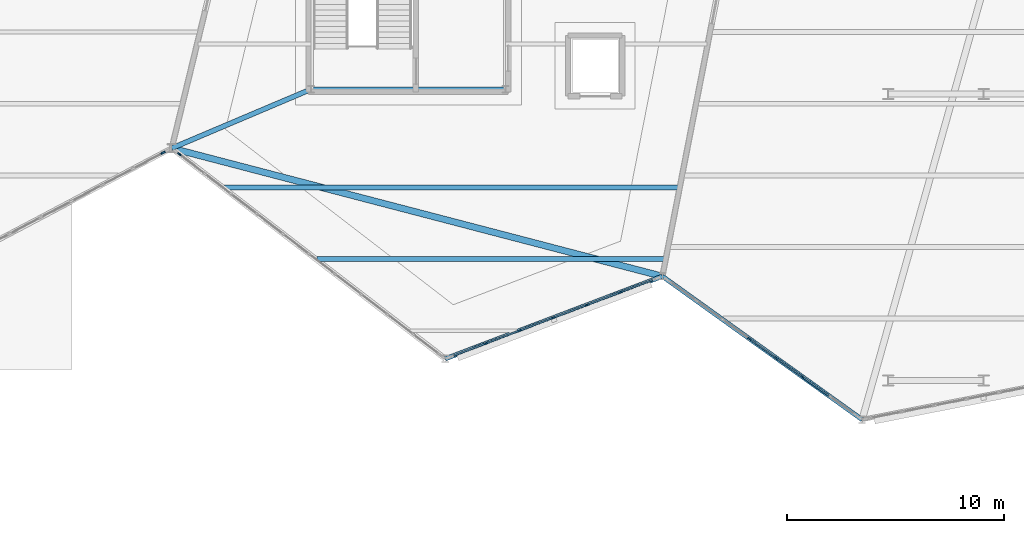
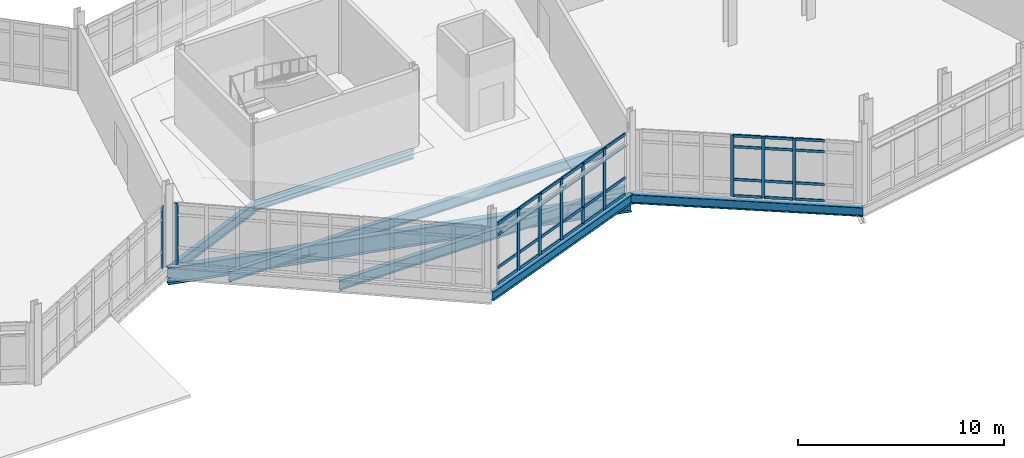
# One storey, part 41 of 134: 46 members, 7 beams, 4 elements without a shape of their own.
"""IFC4 building model written with IfcOpenShell, lengths in metres."""

from ifc_helpers import new_model, si_unit, direction, frame, origin, origin_2d, place, context, subcontext, project, spatial, rectangle, i_section, extrude, material, material_profile, profile_set, type_object, element, aggregate, save


model = new_model("IFC4")

# Units and contexts
model_context = context("Model", 3, precision=1e-05, world=origin(), true_north=direction((0.0, 1.0)))
body_context = subcontext(model_context, "Body", "Model", "MODEL_VIEW")
ifc_project = project(units=[si_unit("LENGTHUNIT", "METRE"), si_unit("AREAUNIT", "SQUARE_METRE"), si_unit("VOLUMEUNIT", "CUBIC_METRE"), si_unit("PLANEANGLEUNIT", "RADIAN"), si_unit("MASSUNIT", "GRAM", prefix="KILO")], contexts=[model_context])

# Site, building, storey
site_placement = place(None, origin())
site = spatial("IfcSite", under=ifc_project, at=site_placement, CompositionType="ELEMENT")
building_placement = place(site_placement, origin())
building = spatial("IfcBuilding", under=site, at=building_placement, Name="Tameran Prism Museum", CompositionType="ELEMENT")
storey_placement = place(building_placement, frame((0.0, 0.0, 5.39990234375)))
storey = spatial("IfcBuildingStorey", under=building, at=storey_placement, Name="L01", CompositionType="ELEMENT", Elevation=5.39990234375)

# Beams
ifc_material_1 = material(Name="Steel Grade 300PLUS (300 MPa)", Category="steel")
ifc_material_profile_1 = material_profile(ifc_material_1, i_section(OverallWidth=0.208984375, OverallDepth=0.532958984375, WebThickness=0.01025390625, FlangeThickness=0.015625, FilletRadius=0.013916015625, at=origin_2d()))
ifc_profile_set_1 = profile_set([ifc_material_profile_1])
beam_type_1 = type_object("IfcBeamType", Name="BM-SP530A", PredefinedType="SPANDREL", material=ifc_profile_set_1)
beam_1_placement = place(storey_placement, frame((110.699951171875, 18.5, -0.46630859375), z_axis=(0.934782064974, 0.355221749056, 0.0), x_axis=(-0.355221749056, 0.934782064974, 0.0)))
element("IfcBeam", 1, at=beam_1_placement, inside=storey, type_object=beam_type_1, Name="Perimeter Spandrel SP-0361", PredefinedType="SPANDREL", context=body_context, shape_type="SweptSolid", body=[
    extrude(i_section(OverallWidth=0.208984375, OverallDepth=0.532958984375, WebThickness=0.01025390625, FlangeThickness=0.015625, FilletRadius=0.013916015625, at=origin_2d()), origin(), (0.0, 0.0, 1.0), 10.69775390625),
])
beam_2_placement = place(storey_placement, frame((120.699951171875, 22.300048828125, -0.46630859375), z_axis=(0.812532700231, -0.582915612293, 0.0), x_axis=(0.582915612293, 0.812532700231, 0.0)))
element("IfcBeam", 2, at=beam_2_placement, inside=storey, type_object=beam_type_1, Name="Perimeter Spandrel SP-0366", PredefinedType="SPANDREL", context=body_context, shape_type="SweptSolid", body=[
    extrude(i_section(OverallWidth=0.208984375, OverallDepth=0.532958984375, WebThickness=0.01025390625, FlangeThickness=0.015625, FilletRadius=0.013916015625, at=origin_2d()), origin(), (0.0, 0.0, 1.0), 11.322509765625),
])
ifc_material_2 = material(Name="Steel Grade 300PLUS (300 MPa)", Category="steel")
ifc_material_profile_2 = material_profile(ifc_material_2, i_section(OverallWidth=0.208984375, OverallDepth=0.528076171875, WebThickness=0.009521484375, FlangeThickness=0.01318359375, FilletRadius=0.013916015625, at=origin_2d()))
ifc_profile_set_2 = profile_set([ifc_material_profile_2])
beam_type_2 = type_object("IfcBeamType", Name="BM-SP530B", PredefinedType="SPANDREL", material=ifc_profile_set_2)
beam_3_placement = place(storey_placement, frame((104.52001953125, 30.919921875, -0.50390625), z_axis=(1.0, 0.0, 0.0), x_axis=(0.0, 1.0, 0.0)))
element("IfcBeam", 3, at=beam_3_placement, inside=storey, type_object=beam_type_2, Name="Core Ring Beam CTB-0458", PredefinedType="SPANDREL", context=body_context, shape_type="SweptSolid", body=[
    extrude(i_section(OverallWidth=0.208984375, OverallDepth=0.528076171875, WebThickness=0.009521484375, FlangeThickness=0.01318359375, FilletRadius=0.013916015625, at=origin_2d()), origin(), (0.0, 0.0, 1.0), 8.9599609375),
])
ifc_material_3 = material(Name="Steel Grade 300PLUS (300 MPa)", Category="steel")
ifc_material_profile_3 = material_profile(ifc_material_3, i_section(OverallWidth=0.22900390625, OverallDepth=0.612060546875, WebThickness=0.011962890625, FlangeThickness=0.01953125, FilletRadius=0.013916015625, at=origin_2d()))
ifc_profile_set_3 = profile_set([ifc_material_profile_3])
beam_type_3 = type_object("IfcBeamType", Name="BM-UB610A", PredefinedType="BEAM", material=ifc_profile_set_3)
beam_4_placement = place(storey_placement, frame((104.52001953125, 30.919921875, -0.559814453125), z_axis=(-0.920768988768, -0.390108278973, 0.0), x_axis=(0.390108278973, -0.920768988768, 0.0)))
element("IfcBeam", 4, at=beam_4_placement, inside=storey, type_object=beam_type_3, Name="Frame Tie Girder FG-1418", PredefinedType="BEAM", context=body_context, shape_type="SweptSolid", body=[
    extrude(i_section(OverallWidth=0.22900390625, OverallDepth=0.612060546875, WebThickness=0.011962890625, FlangeThickness=0.01953125, FilletRadius=0.013916015625, at=origin_2d()), origin(), (0.0, 0.0, 1.0), 6.972412109375),
])
ifc_material_4 = material(Name="Steel Grade 300PLUS (300 MPa)", Category="steel")
ifc_material_profile_4 = material_profile(ifc_material_4, i_section(OverallWidth=0.22802734375, OverallDepth=0.60693359375, WebThickness=0.01123046875, FlangeThickness=0.017333984375, FilletRadius=0.013916015625, at=origin_2d()))
ifc_profile_set_4 = profile_set([ifc_material_profile_4])
beam_type_4 = type_object("IfcBeamType", Name="BM-UB610B", PredefinedType="BEAM", material=ifc_profile_set_4)
beam_5_placement = place(storey_placement, frame((104.7900390625, 23.10009765625, -0.50341796875), z_axis=(1.0, 0.0, 0.0), x_axis=(0.0, 1.0, 0.0)))
element("IfcBeam", 5, at=beam_5_placement, inside=storey, type_object=beam_type_4, Name="Floor Beam BM-0562", PredefinedType="BEAM", context=body_context, shape_type="SweptSolid", body=[
    extrude(i_section(OverallWidth=0.22802734375, OverallDepth=0.60693359375, WebThickness=0.01123046875, FlangeThickness=0.017333984375, FilletRadius=0.013916015625, at=origin_2d()), origin(), (0.0, 0.0, 1.0), 16.02490234375),
])
beam_6_placement = place(storey_placement, frame((100.50390625, 26.39990234375, -0.50341796875), z_axis=(1.0, 0.0, 0.0), x_axis=(0.0, 1.0, 0.0)))
element("IfcBeam", 6, at=beam_6_placement, inside=storey, type_object=beam_type_4, Name="Floor Beam BM-0563", PredefinedType="BEAM", context=body_context, shape_type="SweptSolid", body=[
    extrude(i_section(OverallWidth=0.22802734375, OverallDepth=0.60693359375, WebThickness=0.01123046875, FlangeThickness=0.017333984375, FilletRadius=0.013916015625, at=origin_2d()), origin(), (0.0, 0.0, 1.0), 20.9560546875),
])
ifc_material_5 = material(Name="Steel Grade 350 (350 MPa)", Category="steel")
ifc_material_profile_5 = material_profile(ifc_material_5, i_section(OverallWidth=0.300048828125, OverallDepth=1.0, WebThickness=0.01611328125, FlangeThickness=0.031982421875, at=origin_2d()))
ifc_profile_set_5 = profile_set([ifc_material_profile_5])
beam_type_5 = type_object("IfcBeamType", Name="BM-WB1000", PredefinedType="BEAM", material=ifc_profile_set_5)
beam_7_placement = place(storey_placement, frame((98.10009765625, 28.199951171875, -0.699951171875), z_axis=(0.967572413362, -0.252593794265, 0.0), x_axis=(0.252593794265, 0.967572413362, 0.0)))
element("IfcBeam", 7, at=beam_7_placement, inside=storey, type_object=beam_type_5, Name="Primary Vertex Girder PG-0364", PredefinedType="BEAM", context=body_context, shape_type="SweptSolid", body=[
    extrude(i_section(OverallWidth=0.300048828125, OverallDepth=1.0, WebThickness=0.01611328125, FlangeThickness=0.031982421875, at=origin_2d()), origin(), (0.0, 0.0, 1.0), 23.357177734375),
])

# Curtain wall, member
ifc_material_6 = material(Name="Anodised Aluminium 6063-T6 and Cyclone Solar Glass", Category="aluminium")
curtain_wall_type_1 = type_object("IfcCurtainWallType", Name="CW-FAC-1514x362", PredefinedType="USERDEFINED", material=ifc_material_6)
curtain_wall_1_placement = place(storey_placement, origin())
curtain_wall_1 = element("IfcCurtainWall", 8, at=curtain_wall_1_placement, inside=storey, type_object=curtain_wall_type_1, Name="Unitised Curtain Wall CW-072", ObjectType="UNITISED CURTAIN WALL", PredefinedType="USERDEFINED")
ifc_material_7 = material(Name="Anodised Aluminium Alloy 6063-T6", Category="aluminium")
ifc_material_profile_6 = material_profile(ifc_material_7, rectangle(XDim=0.070068359375, YDim=0.179931640625, at=origin_2d()))
ifc_profile_set_6 = profile_set([ifc_material_profile_6])
member_type_1 = type_object("IfcMemberType", Name="CW-MUL-B", PredefinedType="MULLION", material=ifc_profile_set_6)
member_1_placement = place(storey_placement, frame((98.45166015625, 27.9287109375, 0.0), z_axis=(0.0, 0.0, 1.0), x_axis=(-0.610001143702, -0.79240053299, 0.0)))
member_1 = element("IfcMember", 9, at=member_1_placement, type_object=member_type_1, Name="CW-072 mullion 11", PredefinedType="MULLION", context=body_context, shape_type="SweptSolid", body=[
    extrude(rectangle(XDim=0.070068359375, YDim=0.179931640625, at=origin_2d()), origin(), (0.0, 0.0, 1.0), 3.6201171875),
])
aggregate(curtain_wall_1, [member_1])

# Curtain wall, members
ifc_material_8 = material(Name="Anodised Aluminium 6063-T6 and Cyclone Solar Glass", Category="aluminium")
curtain_wall_type_2 = type_object("IfcCurtainWallType", Name="CW-FAC-1056x362", PredefinedType="USERDEFINED", material=ifc_material_8)
curtain_wall_2_placement = place(storey_placement, origin())
curtain_wall_2 = element("IfcCurtainWall", 10, at=curtain_wall_2_placement, inside=storey, type_object=curtain_wall_type_2, Name="Unitised Curtain Wall CW-076", ObjectType="UNITISED CURTAIN WALL", PredefinedType="USERDEFINED")
member_2_placement = place(storey_placement, frame((127.163818359375, 17.6630859375, 0.0), z_axis=(0.0, 0.0, 1.0), x_axis=(-0.582884776259, -0.812554821293, 0.0)))
member_2 = element("IfcMember", 11, at=member_2_placement, type_object=member_type_1, Name="CW-076 mullion 3", PredefinedType="MULLION", context=body_context, shape_type="SweptSolid", body=[
    extrude(rectangle(XDim=0.070068359375, YDim=0.179931640625, at=origin_2d()), origin(), (0.0, 0.0, 1.0), 3.6201171875),
])
member_3_placement = place(storey_placement, frame((125.9375, 18.542724609375, 0.0), z_axis=(0.0, 0.0, 1.0), x_axis=(-0.582884776259, -0.812554821293, 0.0)))
member_3 = element("IfcMember", 12, at=member_3_placement, type_object=member_type_1, Name="CW-076 mullion 4", PredefinedType="MULLION", context=body_context, shape_type="SweptSolid", body=[
    extrude(rectangle(XDim=0.070068359375, YDim=0.179931640625, at=origin_2d()), origin(), (0.0, 0.0, 1.0), 3.6201171875),
])
member_4_placement = place(storey_placement, frame((124.71142578125, 19.42236328125, 0.0), z_axis=(0.0, 0.0, 1.0), x_axis=(-0.582884776259, -0.812554821293, 0.0)))
member_4 = element("IfcMember", 13, at=member_4_placement, type_object=member_type_1, Name="CW-076 mullion 5", PredefinedType="MULLION", context=body_context, shape_type="SweptSolid", body=[
    extrude(rectangle(XDim=0.070068359375, YDim=0.179931640625, at=origin_2d()), origin(), (0.0, 0.0, 1.0), 3.6201171875),
])

ifc_material_9 = material(Name="Anodised Aluminium 6063-T6 and Cyclone Solar Glass", Category="aluminium")
curtain_wall_type_3 = type_object("IfcCurtainWallType", Name="CW-FAC-994x362", PredefinedType="USERDEFINED", material=ifc_material_9)
curtain_wall_3_placement = place(storey_placement, origin())
curtain_wall_3 = element("IfcCurtainWall", 14, at=curtain_wall_3_placement, inside=storey, type_object=curtain_wall_type_3, Name="Unitised Curtain Wall CW-073", ObjectType="UNITISED CURTAIN WALL", PredefinedType="USERDEFINED")
ifc_material_10 = material(Name="Anodised Aluminium Alloy 6063-T6", Category="aluminium")
ifc_material_profile_7 = material_profile(ifc_material_10, rectangle(XDim=0.074951171875, YDim=0.199951171875, at=origin_2d()))
ifc_profile_set_7 = profile_set([ifc_material_profile_7])
member_type_2 = type_object("IfcMemberType", Name="CW-MUL-C", PredefinedType="MULLION", material=ifc_profile_set_7)
member_5_placement = place(storey_placement, frame((118.7685546875, 21.56640625, 0.0), z_axis=(0.0, 0.0, 1.0), x_axis=(0.355288098442, -0.934756849189, 0.0)))
member_5 = element("IfcMember", 15, at=member_5_placement, type_object=member_type_2, Name="CW-073 mullion 2", PredefinedType="MULLION", context=body_context, shape_type="SweptSolid", body=[
    extrude(rectangle(XDim=0.074951171875, YDim=0.199951171875, at=origin_2d()), origin(), (0.0, 0.0, 1.0), 3.6201171875),
])
member_6_placement = place(storey_placement, frame((117.22021484375, 20.97802734375, 0.0), z_axis=(0.0, 0.0, 1.0), x_axis=(0.355288098442, -0.934756849189, 0.0)))
member_6 = element("IfcMember", 16, at=member_6_placement, type_object=member_type_2, Name="CW-073 mullion 3", PredefinedType="MULLION", context=body_context, shape_type="SweptSolid", body=[
    extrude(rectangle(XDim=0.074951171875, YDim=0.199951171875, at=origin_2d()), origin(), (0.0, 0.0, 1.0), 3.6201171875),
])
member_7_placement = place(storey_placement, frame((115.672119140625, 20.389404296875, 0.0), z_axis=(0.0, 0.0, 1.0), x_axis=(0.355288098442, -0.934756849189, 0.0)))
member_7 = element("IfcMember", 17, at=member_7_placement, type_object=member_type_2, Name="CW-073 mullion 4", PredefinedType="MULLION", context=body_context, shape_type="SweptSolid", body=[
    extrude(rectangle(XDim=0.074951171875, YDim=0.199951171875, at=origin_2d()), origin(), (0.0, 0.0, 1.0), 3.6201171875),
])
member_8_placement = place(storey_placement, frame((114.123779296875, 19.801025390625, 0.0), z_axis=(0.0, 0.0, 1.0), x_axis=(0.355288098442, -0.934756849189, 0.0)))
member_8 = element("IfcMember", 18, at=member_8_placement, type_object=member_type_2, Name="CW-073 mullion 5", PredefinedType="MULLION", context=body_context, shape_type="SweptSolid", body=[
    extrude(rectangle(XDim=0.074951171875, YDim=0.199951171875, at=origin_2d()), origin(), (0.0, 0.0, 1.0), 3.6201171875),
])
member_9_placement = place(storey_placement, frame((112.575439453125, 19.21240234375, 0.0), z_axis=(0.0, 0.0, 1.0), x_axis=(0.355288098442, -0.934756849189, 0.0)))
member_9 = element("IfcMember", 19, at=member_9_placement, type_object=member_type_2, Name="CW-073 mullion 6", PredefinedType="MULLION", context=body_context, shape_type="SweptSolid", body=[
    extrude(rectangle(XDim=0.074951171875, YDim=0.199951171875, at=origin_2d()), origin(), (0.0, 0.0, 1.0), 3.6201171875),
])

# Curtain wall, member
ifc_material_11 = material(Name="Anodised Aluminium 6063-T6 and Cyclone Solar Glass", Category="aluminium")
curtain_wall_type_4 = type_object("IfcCurtainWallType", Name="CW-FAC-1123x362", PredefinedType="USERDEFINED", material=ifc_material_11)
curtain_wall_4_placement = place(storey_placement, origin())
curtain_wall_4 = element("IfcCurtainWall", 20, at=curtain_wall_4_placement, inside=storey, type_object=curtain_wall_type_4, Name="Unitised Curtain Wall CW-066", ObjectType="UNITISED CURTAIN WALL", PredefinedType="USERDEFINED")
ifc_material_12 = material(Name="Anodised Aluminium Alloy 6063-T6", Category="aluminium")
ifc_material_profile_8 = material_profile(ifc_material_12, rectangle(XDim=0.080078125, YDim=0.219970703125, at=origin_2d()))
ifc_profile_set_8 = profile_set([ifc_material_profile_8])
member_type_3 = type_object("IfcMemberType", Name="CW-MUL-D", PredefinedType="MULLION", material=ifc_profile_set_8)
member_10_placement = place(storey_placement, frame((97.70263671875, 27.990234375, 0.0), z_axis=(0.0, 0.0, 1.0), x_axis=(0.467155185438, -0.884175340483, 0.0)))
member_10 = element("IfcMember", 21, at=member_10_placement, type_object=member_type_3, Name="CW-066 mullion 1", PredefinedType="MULLION", context=body_context, shape_type="SweptSolid", body=[
    extrude(rectangle(XDim=0.080078125, YDim=0.219970703125, at=origin_2d()), origin(), (0.0, 0.0, 1.0), 3.6201171875),
])
aggregate(curtain_wall_4, [member_10])

# Member
ifc_material_13 = material(Name="Anodised Aluminium Alloy 6063-T6", Category="aluminium")
ifc_material_profile_9 = material_profile(ifc_material_13, rectangle(XDim=0.070068359375, YDim=0.155029296875, at=origin_2d()))
ifc_profile_set_9 = profile_set([ifc_material_profile_9])
member_type_4 = type_object("IfcMemberType", Name="CW-TRN-B", PredefinedType="USERDEFINED", material=ifc_profile_set_9)
member_11_placement = place(storey_placement, frame((128.361328125, 16.803955078125, 0.03515625), z_axis=(-0.812505058281, 0.582954140792, 0.0), x_axis=(-0.582954140792, -0.812505058281, 0.0)))
member_11 = element("IfcMember", 22, at=member_11_placement, type_object=member_type_4, Name="CW-076 transom 2.1", ObjectType="TRANSOM", PredefinedType="USERDEFINED", context=body_context, shape_type="SweptSolid", body=[
    extrude(rectangle(XDim=0.070068359375, YDim=0.155029296875, at=origin_2d()), origin(), (0.0, 0.0, 1.0), 1.43896484375),
])

member_12_placement = place(storey_placement, frame((128.361328125, 16.803955078125, 1.0), z_axis=(-0.812505058281, 0.582954140792, 0.0), x_axis=(-0.582954140792, -0.812505058281, 0.0)))
member_12 = element("IfcMember", 23, at=member_12_placement, type_object=member_type_4, Name="CW-076 transom 2.2", ObjectType="TRANSOM", PredefinedType="USERDEFINED", context=body_context, shape_type="SweptSolid", body=[
    extrude(rectangle(XDim=0.070068359375, YDim=0.155029296875, at=origin_2d()), origin(), (0.0, 0.0, 1.0), 1.43896484375),
])

member_13_placement = place(storey_placement, frame((128.361328125, 16.803955078125, 2.940185546875), z_axis=(-0.812505058281, 0.582954140792, 0.0), x_axis=(-0.582954140792, -0.812505058281, 0.0)))
member_13 = element("IfcMember", 24, at=member_13_placement, type_object=member_type_4, Name="CW-076 transom 2.3", ObjectType="TRANSOM", PredefinedType="USERDEFINED", context=body_context, shape_type="SweptSolid", body=[
    extrude(rectangle(XDim=0.070068359375, YDim=0.155029296875, at=origin_2d()), origin(), (0.0, 0.0, 1.0), 1.43896484375),
])

member_14_placement = place(storey_placement, frame((128.361328125, 16.803955078125, 3.585205078125), z_axis=(-0.812505058281, 0.582954140792, 0.0), x_axis=(-0.582954140792, -0.812505058281, 0.0)))
member_14 = element("IfcMember", 25, at=member_14_placement, type_object=member_type_4, Name="CW-076 transom 2.4", ObjectType="TRANSOM", PredefinedType="USERDEFINED", context=body_context, shape_type="SweptSolid", body=[
    extrude(rectangle(XDim=0.070068359375, YDim=0.155029296875, at=origin_2d()), origin(), (0.0, 0.0, 1.0), 1.43896484375),
])

member_15_placement = place(storey_placement, frame((127.13525390625, 17.68359375, 0.03515625), z_axis=(-0.812585418836, 0.582842120213, 0.0), x_axis=(-0.582842120213, -0.812585418836, 0.0)))
member_15 = element("IfcMember", 26, at=member_15_placement, type_object=member_type_4, Name="CW-076 transom 3.1", ObjectType="TRANSOM", PredefinedType="USERDEFINED", context=body_context, shape_type="SweptSolid", body=[
    extrude(rectangle(XDim=0.070068359375, YDim=0.155029296875, at=origin_2d()), origin(), (0.0, 0.0, 1.0), 1.43896484375),
])

member_16_placement = place(storey_placement, frame((127.13525390625, 17.68359375, 1.0), z_axis=(-0.812585418836, 0.582842120213, 0.0), x_axis=(-0.582842120213, -0.812585418836, 0.0)))
member_16 = element("IfcMember", 27, at=member_16_placement, type_object=member_type_4, Name="CW-076 transom 3.2", ObjectType="TRANSOM", PredefinedType="USERDEFINED", context=body_context, shape_type="SweptSolid", body=[
    extrude(rectangle(XDim=0.070068359375, YDim=0.155029296875, at=origin_2d()), origin(), (0.0, 0.0, 1.0), 1.43896484375),
])

member_17_placement = place(storey_placement, frame((127.13525390625, 17.68359375, 2.940185546875), z_axis=(-0.812585418836, 0.582842120213, 0.0), x_axis=(-0.582842120213, -0.812585418836, 0.0)))
member_17 = element("IfcMember", 28, at=member_17_placement, type_object=member_type_4, Name="CW-076 transom 3.3", ObjectType="TRANSOM", PredefinedType="USERDEFINED", context=body_context, shape_type="SweptSolid", body=[
    extrude(rectangle(XDim=0.070068359375, YDim=0.155029296875, at=origin_2d()), origin(), (0.0, 0.0, 1.0), 1.43896484375),
])

member_18_placement = place(storey_placement, frame((127.13525390625, 17.68359375, 3.585205078125), z_axis=(-0.812585418836, 0.582842120213, 0.0), x_axis=(-0.582842120213, -0.812585418836, 0.0)))
member_18 = element("IfcMember", 29, at=member_18_placement, type_object=member_type_4, Name="CW-076 transom 3.4", ObjectType="TRANSOM", PredefinedType="USERDEFINED", context=body_context, shape_type="SweptSolid", body=[
    extrude(rectangle(XDim=0.070068359375, YDim=0.155029296875, at=origin_2d()), origin(), (0.0, 0.0, 1.0), 1.43896484375),
])

member_19_placement = place(storey_placement, frame((125.9091796875, 18.563232421875, 0.03515625), z_axis=(-0.812643047192, 0.582761767663, 0.0), x_axis=(-0.582761767663, -0.812643047192, 0.0)))
member_19 = element("IfcMember", 30, at=member_19_placement, type_object=member_type_4, Name="CW-076 transom 4.1", ObjectType="TRANSOM", PredefinedType="USERDEFINED", context=body_context, shape_type="SweptSolid", body=[
    extrude(rectangle(XDim=0.070068359375, YDim=0.155029296875, at=origin_2d()), origin(), (0.0, 0.0, 1.0), 1.43896484375),
])

member_20_placement = place(storey_placement, frame((125.9091796875, 18.563232421875, 1.0), z_axis=(-0.812643047192, 0.582761767663, 0.0), x_axis=(-0.582761767663, -0.812643047192, 0.0)))
member_20 = element("IfcMember", 31, at=member_20_placement, type_object=member_type_4, Name="CW-076 transom 4.2", ObjectType="TRANSOM", PredefinedType="USERDEFINED", context=body_context, shape_type="SweptSolid", body=[
    extrude(rectangle(XDim=0.070068359375, YDim=0.155029296875, at=origin_2d()), origin(), (0.0, 0.0, 1.0), 1.43896484375),
])

member_21_placement = place(storey_placement, frame((125.9091796875, 18.563232421875, 2.940185546875), z_axis=(-0.812643047192, 0.582761767663, 0.0), x_axis=(-0.582761767663, -0.812643047192, 0.0)))
member_21 = element("IfcMember", 32, at=member_21_placement, type_object=member_type_4, Name="CW-076 transom 4.3", ObjectType="TRANSOM", PredefinedType="USERDEFINED", context=body_context, shape_type="SweptSolid", body=[
    extrude(rectangle(XDim=0.070068359375, YDim=0.155029296875, at=origin_2d()), origin(), (0.0, 0.0, 1.0), 1.43896484375),
])

member_22_placement = place(storey_placement, frame((125.9091796875, 18.563232421875, 3.585205078125), z_axis=(-0.812643047192, 0.582761767663, 0.0), x_axis=(-0.582761767663, -0.812643047192, 0.0)))
member_22 = element("IfcMember", 33, at=member_22_placement, type_object=member_type_4, Name="CW-076 transom 4.4", ObjectType="TRANSOM", PredefinedType="USERDEFINED", context=body_context, shape_type="SweptSolid", body=[
    extrude(rectangle(XDim=0.070068359375, YDim=0.155029296875, at=origin_2d()), origin(), (0.0, 0.0, 1.0), 1.43896484375),
])

aggregate(curtain_wall_2, [member_2, member_3, member_4, member_11, member_12, member_13, member_14, member_15, member_16, member_17, member_18, member_19, member_20, member_21, member_22])

ifc_material_14 = material(Name="Anodised Aluminium Alloy 6063-T6", Category="aluminium")
ifc_material_profile_10 = material_profile(ifc_material_14, rectangle(XDim=0.074951171875, YDim=0.175048828125, at=origin_2d()))
ifc_profile_set_10 = profile_set([ifc_material_profile_10])
member_type_5 = type_object("IfcMemberType", Name="CW-TRN-C", PredefinedType="USERDEFINED", material=ifc_profile_set_10)
member_23_placement = place(storey_placement, frame((120.246826171875, 22.12841796875, 0.03759765625), z_axis=(-0.934740516132, -0.355331067459, 0.0), x_axis=(0.355331067459, -0.934740516132, 0.0)))
member_23 = element("IfcMember", 34, at=member_23_placement, type_object=member_type_5, Name="CW-073 transom 1.1", ObjectType="TRANSOM", PredefinedType="USERDEFINED", context=body_context, shape_type="SweptSolid", body=[
    extrude(rectangle(XDim=0.074951171875, YDim=0.175048828125, at=origin_2d()), origin(), (0.0, 0.0, 1.0), 1.5439453125),
])

member_24_placement = place(storey_placement, frame((120.246826171875, 22.12841796875, 1.0), z_axis=(-0.934740516132, -0.355331067459, 0.0), x_axis=(0.355331067459, -0.934740516132, 0.0)))
member_24 = element("IfcMember", 35, at=member_24_placement, type_object=member_type_5, Name="CW-073 transom 1.2", ObjectType="TRANSOM", PredefinedType="USERDEFINED", context=body_context, shape_type="SweptSolid", body=[
    extrude(rectangle(XDim=0.074951171875, YDim=0.175048828125, at=origin_2d()), origin(), (0.0, 0.0, 1.0), 1.5439453125),
])

member_25_placement = place(storey_placement, frame((120.246826171875, 22.12841796875, 2.940185546875), z_axis=(-0.934740516132, -0.355331067459, 0.0), x_axis=(0.355331067459, -0.934740516132, 0.0)))
member_25 = element("IfcMember", 36, at=member_25_placement, type_object=member_type_5, Name="CW-073 transom 1.3", ObjectType="TRANSOM", PredefinedType="USERDEFINED", context=body_context, shape_type="SweptSolid", body=[
    extrude(rectangle(XDim=0.074951171875, YDim=0.175048828125, at=origin_2d()), origin(), (0.0, 0.0, 1.0), 1.5439453125),
])

member_26_placement = place(storey_placement, frame((120.246826171875, 22.12841796875, 3.58251953125), z_axis=(-0.934740516132, -0.355331067459, 0.0), x_axis=(0.355331067459, -0.934740516132, 0.0)))
member_26 = element("IfcMember", 37, at=member_26_placement, type_object=member_type_5, Name="CW-073 transom 1.4", ObjectType="TRANSOM", PredefinedType="USERDEFINED", context=body_context, shape_type="SweptSolid", body=[
    extrude(rectangle(XDim=0.074951171875, YDim=0.175048828125, at=origin_2d()), origin(), (0.0, 0.0, 1.0), 1.5439453125),
])

member_27_placement = place(storey_placement, frame((118.733642578125, 21.55322265625, 0.03759765625), z_axis=(-0.934727183088, -0.355366139631, 0.0), x_axis=(0.355366139631, -0.934727183088, 0.0)))
member_27 = element("IfcMember", 38, at=member_27_placement, type_object=member_type_5, Name="CW-073 transom 2.1", ObjectType="TRANSOM", PredefinedType="USERDEFINED", context=body_context, shape_type="SweptSolid", body=[
    extrude(rectangle(XDim=0.074951171875, YDim=0.175048828125, at=origin_2d()), origin(), (0.0, 0.0, 1.0), 1.58154296875),
])

member_28_placement = place(storey_placement, frame((118.733642578125, 21.55322265625, 1.0), z_axis=(-0.934727183088, -0.355366139631, 0.0), x_axis=(0.355366139631, -0.934727183088, 0.0)))
member_28 = element("IfcMember", 39, at=member_28_placement, type_object=member_type_5, Name="CW-073 transom 2.2", ObjectType="TRANSOM", PredefinedType="USERDEFINED", context=body_context, shape_type="SweptSolid", body=[
    extrude(rectangle(XDim=0.074951171875, YDim=0.175048828125, at=origin_2d()), origin(), (0.0, 0.0, 1.0), 1.58154296875),
])

member_29_placement = place(storey_placement, frame((118.733642578125, 21.55322265625, 2.940185546875), z_axis=(-0.934727183088, -0.355366139631, 0.0), x_axis=(0.355366139631, -0.934727183088, 0.0)))
member_29 = element("IfcMember", 40, at=member_29_placement, type_object=member_type_5, Name="CW-073 transom 2.3", ObjectType="TRANSOM", PredefinedType="USERDEFINED", context=body_context, shape_type="SweptSolid", body=[
    extrude(rectangle(XDim=0.074951171875, YDim=0.175048828125, at=origin_2d()), origin(), (0.0, 0.0, 1.0), 1.58154296875),
])

member_30_placement = place(storey_placement, frame((118.733642578125, 21.55322265625, 3.58251953125), z_axis=(-0.934727183088, -0.355366139631, 0.0), x_axis=(0.355366139631, -0.934727183088, 0.0)))
member_30 = element("IfcMember", 41, at=member_30_placement, type_object=member_type_5, Name="CW-073 transom 2.4", ObjectType="TRANSOM", PredefinedType="USERDEFINED", context=body_context, shape_type="SweptSolid", body=[
    extrude(rectangle(XDim=0.074951171875, YDim=0.175048828125, at=origin_2d()), origin(), (0.0, 0.0, 1.0), 1.58154296875),
])

member_31_placement = place(storey_placement, frame((117.185302734375, 20.964599609375, 0.03759765625), z_axis=(-0.934778454235, -0.355231250734, 0.0), x_axis=(0.355231250734, -0.934778454235, 0.0)))
member_31 = element("IfcMember", 42, at=member_31_placement, type_object=member_type_5, Name="CW-073 transom 3.1", ObjectType="TRANSOM", PredefinedType="USERDEFINED", context=body_context, shape_type="SweptSolid", body=[
    extrude(rectangle(XDim=0.074951171875, YDim=0.175048828125, at=origin_2d()), origin(), (0.0, 0.0, 1.0), 1.581298828125),
])

member_32_placement = place(storey_placement, frame((117.185302734375, 20.964599609375, 1.0), z_axis=(-0.934778454235, -0.355231250734, 0.0), x_axis=(0.355231250734, -0.934778454235, 0.0)))
member_32 = element("IfcMember", 43, at=member_32_placement, type_object=member_type_5, Name="CW-073 transom 3.2", ObjectType="TRANSOM", PredefinedType="USERDEFINED", context=body_context, shape_type="SweptSolid", body=[
    extrude(rectangle(XDim=0.074951171875, YDim=0.175048828125, at=origin_2d()), origin(), (0.0, 0.0, 1.0), 1.581298828125),
])

member_33_placement = place(storey_placement, frame((117.185302734375, 20.964599609375, 2.940185546875), z_axis=(-0.934778454235, -0.355231250734, 0.0), x_axis=(0.355231250734, -0.934778454235, 0.0)))
member_33 = element("IfcMember", 44, at=member_33_placement, type_object=member_type_5, Name="CW-073 transom 3.3", ObjectType="TRANSOM", PredefinedType="USERDEFINED", context=body_context, shape_type="SweptSolid", body=[
    extrude(rectangle(XDim=0.074951171875, YDim=0.175048828125, at=origin_2d()), origin(), (0.0, 0.0, 1.0), 1.581298828125),
])

member_34_placement = place(storey_placement, frame((117.185302734375, 20.964599609375, 3.58251953125), z_axis=(-0.934778454235, -0.355231250734, 0.0), x_axis=(0.355231250734, -0.934778454235, 0.0)))
member_34 = element("IfcMember", 45, at=member_34_placement, type_object=member_type_5, Name="CW-073 transom 3.4", ObjectType="TRANSOM", PredefinedType="USERDEFINED", context=body_context, shape_type="SweptSolid", body=[
    extrude(rectangle(XDim=0.074951171875, YDim=0.175048828125, at=origin_2d()), origin(), (0.0, 0.0, 1.0), 1.581298828125),
])

member_35_placement = place(storey_placement, frame((115.636962890625, 20.376220703125, 0.03759765625), z_axis=(-0.934727183088, -0.355366139631, 0.0), x_axis=(0.355366139631, -0.934727183088, 0.0)))
member_35 = element("IfcMember", 46, at=member_35_placement, type_object=member_type_5, Name="CW-073 transom 4.1", ObjectType="TRANSOM", PredefinedType="USERDEFINED", context=body_context, shape_type="SweptSolid", body=[
    extrude(rectangle(XDim=0.074951171875, YDim=0.175048828125, at=origin_2d()), origin(), (0.0, 0.0, 1.0), 1.58154296875),
])

member_36_placement = place(storey_placement, frame((115.636962890625, 20.376220703125, 1.0), z_axis=(-0.934727183088, -0.355366139631, 0.0), x_axis=(0.355366139631, -0.934727183088, 0.0)))
member_36 = element("IfcMember", 47, at=member_36_placement, type_object=member_type_5, Name="CW-073 transom 4.2", ObjectType="TRANSOM", PredefinedType="USERDEFINED", context=body_context, shape_type="SweptSolid", body=[
    extrude(rectangle(XDim=0.074951171875, YDim=0.175048828125, at=origin_2d()), origin(), (0.0, 0.0, 1.0), 1.58154296875),
])

member_37_placement = place(storey_placement, frame((115.636962890625, 20.376220703125, 2.940185546875), z_axis=(-0.934727183088, -0.355366139631, 0.0), x_axis=(0.355366139631, -0.934727183088, 0.0)))
member_37 = element("IfcMember", 48, at=member_37_placement, type_object=member_type_5, Name="CW-073 transom 4.3", ObjectType="TRANSOM", PredefinedType="USERDEFINED", context=body_context, shape_type="SweptSolid", body=[
    extrude(rectangle(XDim=0.074951171875, YDim=0.175048828125, at=origin_2d()), origin(), (0.0, 0.0, 1.0), 1.58154296875),
])

member_38_placement = place(storey_placement, frame((115.636962890625, 20.376220703125, 3.58251953125), z_axis=(-0.934727183088, -0.355366139631, 0.0), x_axis=(0.355366139631, -0.934727183088, 0.0)))
member_38 = element("IfcMember", 49, at=member_38_placement, type_object=member_type_5, Name="CW-073 transom 4.4", ObjectType="TRANSOM", PredefinedType="USERDEFINED", context=body_context, shape_type="SweptSolid", body=[
    extrude(rectangle(XDim=0.074951171875, YDim=0.175048828125, at=origin_2d()), origin(), (0.0, 0.0, 1.0), 1.58154296875),
])

member_39_placement = place(storey_placement, frame((114.088623046875, 19.78759765625, 0.03759765625), z_axis=(-0.934778454235, -0.355231250734, 0.0), x_axis=(0.355231250734, -0.934778454235, 0.0)))
member_39 = element("IfcMember", 50, at=member_39_placement, type_object=member_type_5, Name="CW-073 transom 5.1", ObjectType="TRANSOM", PredefinedType="USERDEFINED", context=body_context, shape_type="SweptSolid", body=[
    extrude(rectangle(XDim=0.074951171875, YDim=0.175048828125, at=origin_2d()), origin(), (0.0, 0.0, 1.0), 1.581298828125),
])

member_40_placement = place(storey_placement, frame((114.088623046875, 19.78759765625, 1.0), z_axis=(-0.934778454235, -0.355231250734, 0.0), x_axis=(0.355231250734, -0.934778454235, 0.0)))
member_40 = element("IfcMember", 51, at=member_40_placement, type_object=member_type_5, Name="CW-073 transom 5.2", ObjectType="TRANSOM", PredefinedType="USERDEFINED", context=body_context, shape_type="SweptSolid", body=[
    extrude(rectangle(XDim=0.074951171875, YDim=0.175048828125, at=origin_2d()), origin(), (0.0, 0.0, 1.0), 1.581298828125),
])

member_41_placement = place(storey_placement, frame((114.088623046875, 19.78759765625, 2.940185546875), z_axis=(-0.934778454235, -0.355231250734, 0.0), x_axis=(0.355231250734, -0.934778454235, 0.0)))
member_41 = element("IfcMember", 52, at=member_41_placement, type_object=member_type_5, Name="CW-073 transom 5.3", ObjectType="TRANSOM", PredefinedType="USERDEFINED", context=body_context, shape_type="SweptSolid", body=[
    extrude(rectangle(XDim=0.074951171875, YDim=0.175048828125, at=origin_2d()), origin(), (0.0, 0.0, 1.0), 1.581298828125),
])

member_42_placement = place(storey_placement, frame((114.088623046875, 19.78759765625, 3.58251953125), z_axis=(-0.934778454235, -0.355231250734, 0.0), x_axis=(0.355231250734, -0.934778454235, 0.0)))
member_42 = element("IfcMember", 53, at=member_42_placement, type_object=member_type_5, Name="CW-073 transom 5.4", ObjectType="TRANSOM", PredefinedType="USERDEFINED", context=body_context, shape_type="SweptSolid", body=[
    extrude(rectangle(XDim=0.074951171875, YDim=0.175048828125, at=origin_2d()), origin(), (0.0, 0.0, 1.0), 1.581298828125),
])

member_43_placement = place(storey_placement, frame((112.540283203125, 19.19921875, 0.03759765625), z_axis=(-0.934740516132, -0.355331067459, 0.0), x_axis=(0.355331067459, -0.934740516132, 0.0)))
member_43 = element("IfcMember", 54, at=member_43_placement, type_object=member_type_5, Name="CW-073 transom 6.1", ObjectType="TRANSOM", PredefinedType="USERDEFINED", context=body_context, shape_type="SweptSolid", body=[
    extrude(rectangle(XDim=0.074951171875, YDim=0.175048828125, at=origin_2d()), origin(), (0.0, 0.0, 1.0), 1.5439453125),
])

member_44_placement = place(storey_placement, frame((112.540283203125, 19.19921875, 1.0), z_axis=(-0.934740516132, -0.355331067459, 0.0), x_axis=(0.355331067459, -0.934740516132, 0.0)))
member_44 = element("IfcMember", 55, at=member_44_placement, type_object=member_type_5, Name="CW-073 transom 6.2", ObjectType="TRANSOM", PredefinedType="USERDEFINED", context=body_context, shape_type="SweptSolid", body=[
    extrude(rectangle(XDim=0.074951171875, YDim=0.175048828125, at=origin_2d()), origin(), (0.0, 0.0, 1.0), 1.5439453125),
])

member_45_placement = place(storey_placement, frame((112.540283203125, 19.19921875, 2.940185546875), z_axis=(-0.934740516132, -0.355331067459, 0.0), x_axis=(0.355331067459, -0.934740516132, 0.0)))
member_45 = element("IfcMember", 56, at=member_45_placement, type_object=member_type_5, Name="CW-073 transom 6.3", ObjectType="TRANSOM", PredefinedType="USERDEFINED", context=body_context, shape_type="SweptSolid", body=[
    extrude(rectangle(XDim=0.074951171875, YDim=0.175048828125, at=origin_2d()), origin(), (0.0, 0.0, 1.0), 1.5439453125),
])

member_46_placement = place(storey_placement, frame((112.540283203125, 19.19921875, 3.58251953125), z_axis=(-0.934740516132, -0.355331067459, 0.0), x_axis=(0.355331067459, -0.934740516132, 0.0)))
member_46 = element("IfcMember", 57, at=member_46_placement, type_object=member_type_5, Name="CW-073 transom 6.4", ObjectType="TRANSOM", PredefinedType="USERDEFINED", context=body_context, shape_type="SweptSolid", body=[
    extrude(rectangle(XDim=0.074951171875, YDim=0.175048828125, at=origin_2d()), origin(), (0.0, 0.0, 1.0), 1.5439453125),
])

aggregate(curtain_wall_3, [member_5, member_6, member_7, member_8, member_9, member_23, member_24, member_25, member_26, member_27, member_28, member_29, member_30, member_31, member_32, member_33, member_34, member_35, member_36, member_37, member_38, member_39, member_40, member_41, member_42, member_43, member_44, member_45, member_46])

save(model, "model.ifc")
